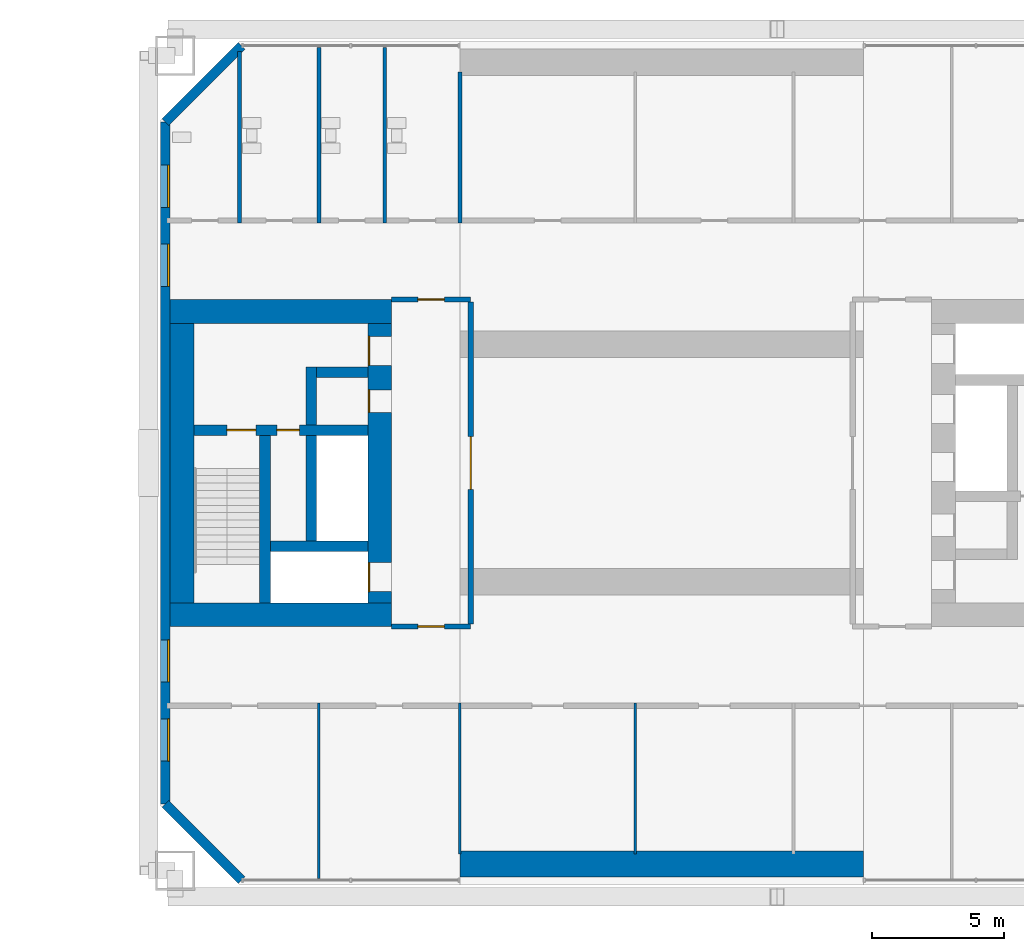
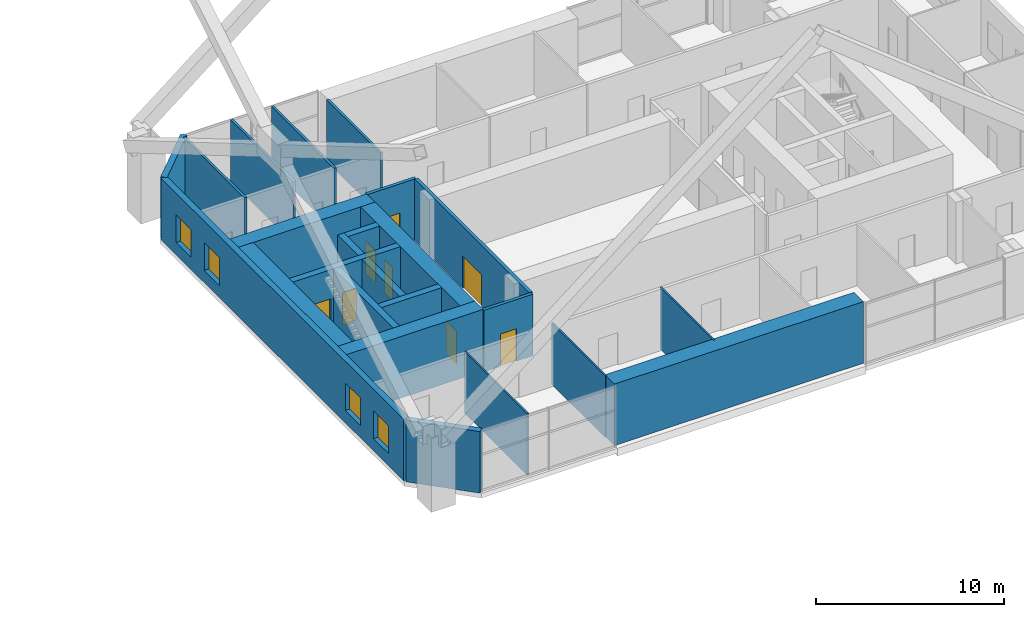
# One storey, part 20 of 25: 24 walls, 8 doors, 4 windows, 12 openings.
"""IFC4 building model written with IfcOpenShell, lengths in metres."""

from ifc_helpers import new_model, si_unit, direction, frame, frame_2d, origin, place, context, subcontext, project, spatial, rectangle, extrude, material, layer, layer_set, type_object, element, fill, save


model = new_model("IFC4")

# Units and contexts
model_context = context("Model", 3, precision=1e-05, world=origin(), true_north=direction((0.0, 1.0)))
body_context = subcontext(model_context, "Body", "Model", "MODEL_VIEW")
ifc_project = project(units=[si_unit("LENGTHUNIT", "METRE"), si_unit("AREAUNIT", "SQUARE_METRE"), si_unit("VOLUMEUNIT", "CUBIC_METRE"), si_unit("PLANEANGLEUNIT", "RADIAN"), si_unit("MASSUNIT", "GRAM", prefix="KILO")], contexts=[model_context])

# Site, building, storey
site_placement = place(None, origin())
site = spatial("IfcSite", under=ifc_project, at=site_placement, CompositionType="ELEMENT")
building_placement = place(site_placement, origin())
building = spatial("IfcBuilding", under=site, at=building_placement, Name="Tuart Gate Housing", CompositionType="ELEMENT")
storey_placement = place(building_placement, frame((0.0, 0.0, 14.699951171875)))
storey = spatial("IfcBuildingStorey", under=building, at=storey_placement, Name="L03", CompositionType="ELEMENT", Elevation=14.699951171875)

# Walls
ifc_material_1 = material(Name="Gypsum board on steel studs", Category="steel")
ifc_layer_1 = layer(ifc_material_1, 0.14990234375)
ifc_layer_set_1 = layer_set([ifc_layer_1], Name="Bathroom wall 150")
wall_type_1 = type_object("IfcWallType", Name="Bathroom wall 150", PredefinedType="PLUMBINGWALL", material=ifc_layer_set_1)
wall_1_placement = place(storey_placement, frame((134.0, 79.10009765625, 0.0), z_axis=(0.0, 0.0, 1.0), x_axis=(0.0, 1.0, 0.0)))
element("IfcWall", 1, at=wall_1_placement, inside=storey, type_object=wall_type_1, Name="Bathroom wall 150", PredefinedType="PLUMBINGWALL", context=body_context, shape_type="SweptSolid", body=[
    extrude(rectangle(XDim=6.510986328125, YDim=0.14990234375, at=frame_2d((3.25537109375, 0.0))), origin(), (0.0, 0.0, 1.0), 4.0),
])
for number, where, z_axis, x_axis, name in (
    (2, (137.0, 79.10009765625, 0.0), (0.0, 0.0, 1.0), (0.0, 1.0, 0.0), "Bathroom wall 150"),
    (3, (139.5, 79.10009765625, 0.0), (0.0, 0.0, 1.0), (0.0, 1.0, 0.0), "Bathroom wall 150"),
):
    element("IfcWall", number, at=place(storey_placement, frame(where, z_axis=z_axis, x_axis=x_axis)), inside=storey, type_object=wall_type_1, Name=name, PredefinedType="PLUMBINGWALL", context=body_context, shape_type="SweptSolid", body=[
        extrude(rectangle(XDim=6.659912109375, YDim=0.14990234375, at=frame_2d((3.330078125, 0.0))), origin(), (0.0, 0.0, 1.0), 4.0),
    ])
wall_2_placement = place(storey_placement, frame((142.35009765625, 79.10009765625, 0.0), z_axis=(0.0, 0.0, 1.0), x_axis=(0.0, 1.0, 0.0)))
element("IfcWall", 4, at=wall_2_placement, inside=storey, type_object=wall_type_1, Name="Bathroom wall 150", PredefinedType="PLUMBINGWALL", context=body_context, shape_type="SweptSolid", body=[
    extrude(rectangle(XDim=5.719970703125, YDim=0.14990234375, at=frame_2d((2.85986328125, 0.0))), origin(), (0.0, 0.0, 1.0), 4.0),
])
ifc_material_2 = material(Name="Brick", Category="masonry")
ifc_layer_2 = layer(ifc_material_2, 0.360107421875)
ifc_layer_set_2 = layer_set([ifc_layer_2], Name="Brick pier and spandrel wall 360")
wall_type_2 = type_object("IfcWallType", Name="Brick pier and spandrel wall 360", PredefinedType="STANDARD", material=ifc_layer_set_2)
for number, where, z_axis, x_axis, name in (
    (5, (131.179931640625, 57.07470703125, 0.0), (0.0, 0.0, 1.0), (0.707106781187, -0.707106781187, 0.0), "External wall B-SW L03"),
    (6, (134.07470703125, 85.820068359375, 0.0), (0.0, 0.0, 1.0), (-0.707106781187, -0.707106781187, 0.0), "External wall B-NW L03"),
):
    element("IfcWall", number, at=place(storey_placement, frame(where, z_axis=z_axis, x_axis=x_axis)), inside=storey, type_object=wall_type_2, Name=name, PredefinedType="STANDARD", context=body_context, shape_type="SweptSolid", body=[
        extrude(rectangle(XDim=4.09375, YDim=0.360107421875, at=frame_2d((2.046875, 0.0))), origin(), (0.0, 0.0, 1.0), 4.0),
    ])

# Wall, openings, windows
wall_3_placement = place(storey_placement, frame((131.179931640625, 82.92529296875, 0.0), z_axis=(0.0, 0.0, 1.0), x_axis=(0.0, -1.0, 0.0)))
wall_3 = element("IfcWall", 7, at=wall_3_placement, inside=storey, type_object=wall_type_2, Name="External wall B-W L03", PredefinedType="STANDARD", context=body_context, shape_type="SweptSolid", body=[
    extrude(rectangle(XDim=25.850830078125, YDim=0.360107421875, at=frame_2d((12.92529296875, 0.0))), origin(), (0.0, 0.0, 1.0), 4.0),
])
opening_1_placement = place(wall_3_placement, frame((1.62548828125, 0.0, 0.800048828125)))
opening_1 = element("IfcOpeningElement", 8, at=opening_1_placement, cuts=wall_3, Name="Opening W1", PredefinedType="OPENING", context=body_context, shape_type="SweptSolid", body=[
    extrude(rectangle(XDim=1.60009765625, YDim=1.800048828125, at=frame_2d((0.800048828125, 0.89990234375))), frame((0.0, 0.18994140625, 0.0), z_axis=(0.0, -1.0, 0.0), x_axis=(1.0, 0.0, 0.0)), (0.0, 0.0, 1.0), 0.380126953125),
])
opening_2_placement = place(wall_3_placement, frame((4.62548828125, 0.0, 0.800048828125)))
opening_2 = element("IfcOpeningElement", 9, at=opening_2_placement, cuts=wall_3, Name="Opening W1", PredefinedType="OPENING", context=body_context, shape_type="SweptSolid", body=[
    extrude(rectangle(XDim=1.60009765625, YDim=1.800048828125, at=frame_2d((0.800048828125, 0.89990234375))), frame((0.0, 0.18994140625, 0.0), z_axis=(0.0, -1.0, 0.0), x_axis=(1.0, 0.0, 0.0)), (0.0, 0.0, 1.0), 0.380126953125),
])
opening_3_placement = place(wall_3_placement, frame((19.62548828125, 0.0, 0.800048828125)))
opening_3 = element("IfcOpeningElement", 10, at=opening_3_placement, cuts=wall_3, Name="Opening W1", PredefinedType="OPENING", context=body_context, shape_type="SweptSolid", body=[
    extrude(rectangle(XDim=1.60009765625, YDim=1.800048828125, at=frame_2d((0.800048828125, 0.89990234375))), frame((0.0, 0.18994140625, 0.0), z_axis=(0.0, -1.0, 0.0), x_axis=(1.0, 0.0, 0.0)), (0.0, 0.0, 1.0), 0.380126953125),
])
opening_4_placement = place(wall_3_placement, frame((22.62548828125, 0.0, 0.800048828125)))
opening_4 = element("IfcOpeningElement", 11, at=opening_4_placement, cuts=wall_3, Name="Opening W1", PredefinedType="OPENING", context=body_context, shape_type="SweptSolid", body=[
    extrude(rectangle(XDim=1.60009765625, YDim=1.800048828125, at=frame_2d((0.800048828125, 0.89990234375))), frame((0.0, 0.18994140625, 0.0), z_axis=(0.0, -1.0, 0.0), x_axis=(1.0, 0.0, 0.0)), (0.0, 0.0, 1.0), 0.380126953125),
])
ifc_material_3 = material(Name="Aluminium frame with clear glass", Category="aluminium")
window_type = type_object("IfcWindowType", Name="Punched window 1600 x 1800", PartitioningType="SINGLE_PANEL", PredefinedType="WINDOW", material=ifc_material_3)
window_1_placement = place(opening_1_placement, origin())
window_1 = element("IfcWindow", 12, at=window_1_placement, inside=storey, type_object=window_type, Name="Window W1", OverallHeight=1.800048828125, OverallWidth=1.60009765625, PartitioningType="SINGLE_PANEL", PredefinedType="WINDOW", context=body_context, shape_type="SweptSolid", body=[
    extrude(rectangle(XDim=1.60009765625, YDim=1.800048828125, at=frame_2d((0.800048828125, 0.89990234375))), frame((0.0, 0.150146484375, 0.0), z_axis=(0.0, -1.0, 0.0), x_axis=(1.0, 0.0, 0.0)), (0.0, 0.0, 1.0), 0.06005859375),
])
fill(opening_1, window_1)
window_2_placement = place(opening_2_placement, origin())
window_2 = element("IfcWindow", 13, at=window_2_placement, inside=storey, type_object=window_type, Name="Window W1", OverallHeight=1.800048828125, OverallWidth=1.60009765625, PartitioningType="SINGLE_PANEL", PredefinedType="WINDOW", context=body_context, shape_type="SweptSolid", body=[
    extrude(rectangle(XDim=1.60009765625, YDim=1.800048828125, at=frame_2d((0.800048828125, 0.89990234375))), frame((0.0, 0.150146484375, 0.0), z_axis=(0.0, -1.0, 0.0), x_axis=(1.0, 0.0, 0.0)), (0.0, 0.0, 1.0), 0.06005859375),
])
fill(opening_2, window_2)
window_3_placement = place(opening_3_placement, origin())
window_3 = element("IfcWindow", 14, at=window_3_placement, inside=storey, type_object=window_type, Name="Window W1", OverallHeight=1.800048828125, OverallWidth=1.60009765625, PartitioningType="SINGLE_PANEL", PredefinedType="WINDOW", context=body_context, shape_type="SweptSolid", body=[
    extrude(rectangle(XDim=1.60009765625, YDim=1.800048828125, at=frame_2d((0.800048828125, 0.89990234375))), frame((0.0, 0.150146484375, 0.0), z_axis=(0.0, -1.0, 0.0), x_axis=(1.0, 0.0, 0.0)), (0.0, 0.0, 1.0), 0.06005859375),
])
fill(opening_3, window_3)
window_4_placement = place(opening_4_placement, origin())
window_4 = element("IfcWindow", 15, at=window_4_placement, inside=storey, type_object=window_type, Name="Window W1", OverallHeight=1.800048828125, OverallWidth=1.60009765625, PartitioningType="SINGLE_PANEL", PredefinedType="WINDOW", context=body_context, shape_type="SweptSolid", body=[
    extrude(rectangle(XDim=1.60009765625, YDim=1.800048828125, at=frame_2d((0.800048828125, 0.89990234375))), frame((0.0, 0.150146484375, 0.0), z_axis=(0.0, -1.0, 0.0), x_axis=(1.0, 0.0, 0.0)), (0.0, 0.0, 1.0), 0.06005859375),
])
fill(opening_4, window_4)

# Wall
ifc_material_4 = material(Name="Concrete C60", Category="concrete")
ifc_layer_3 = layer(ifc_material_4, 0.39990234375)
ifc_layer_set_3 = layer_set([ifc_layer_3], Name="Core wall 400 C60")
wall_type_3 = type_object("IfcWallType", Name="Core wall 400 C60", PredefinedType="SHEAR", material=ifc_layer_set_3)
wall_4_placement = place(storey_placement, frame((138.860107421875, 66.85009765625, 0.0), z_axis=(0.0, 0.0, 1.0), x_axis=(-1.0, 0.0, 0.0)))
element("IfcWall", 16, at=wall_4_placement, inside=storey, type_object=wall_type_3, Name="Core wall BG.1", PredefinedType="SHEAR", context=body_context, shape_type="SweptSolid", body=[
    extrude(rectangle(XDim=3.7001953125, YDim=0.39990234375, at=frame_2d((1.85009765625, 0.0))), origin(), (0.0, 0.0, 1.0), 4.0),
])

# Wall, openings, doors
wall_5_placement = place(storey_placement, frame((138.860107421875, 71.25, 0.0), z_axis=(0.0, 0.0, 1.0), x_axis=(-1.0, 0.0, 0.0)))
wall_5 = element("IfcWall", 17, at=wall_5_placement, inside=storey, type_object=wall_type_3, Name="Core wall BG.2", PredefinedType="SHEAR", context=body_context, shape_type="SweptSolid", body=[
    extrude(rectangle(XDim=6.60009765625, YDim=0.39990234375, at=frame_2d((3.300048828125, 0.0))), origin(), (0.0, 0.0, 1.0), 4.0),
])
opening_5_placement = place(wall_5_placement, frame((4.25, 0.0, 0.0)))
opening_5 = element("IfcOpeningElement", 18, at=opening_5_placement, cuts=wall_5, Name="Opening D048", PredefinedType="OPENING", context=body_context, shape_type="SweptSolid", body=[
    extrude(rectangle(XDim=1.10009765625, YDim=2.10009765625, at=frame_2d((0.550048828125, 1.050048828125))), frame((0.0, 0.2099609375, 0.0), z_axis=(0.0, -1.0, 0.0), x_axis=(1.0, 0.0, 0.0)), (0.0, 0.0, 1.0), 0.419921875),
])
opening_6_placement = place(wall_5_placement, frame((2.60009765625, 0.0, 0.0)))
opening_6 = element("IfcOpeningElement", 19, at=opening_6_placement, cuts=wall_5, Name="Opening D047", PredefinedType="OPENING", context=body_context, shape_type="SweptSolid", body=[
    extrude(rectangle(XDim=0.85009765625, YDim=2.10009765625, at=frame_2d((0.425048828125, 1.050048828125))), frame((0.0, 0.2099609375, 0.0), z_axis=(0.0, -1.0, 0.0), x_axis=(1.0, 0.0, 0.0)), (0.0, 0.0, 1.0), 0.419921875),
])
ifc_material_5 = material(Name="Steel fire door", Category="steel")
door_type_1 = type_object("IfcDoorType", Name="Riser door 850 x 2100", OperationType="SINGLE_SWING_LEFT", PredefinedType="DOOR", material=ifc_material_5)
door_1_placement = place(opening_6_placement, origin())
door_1 = element("IfcDoor", 20, at=door_1_placement, inside=storey, type_object=door_type_1, Name="Service room door BG.W1", OperationType="SINGLE_SWING_LEFT", OverallHeight=2.10009765625, OverallWidth=0.85009765625, PredefinedType="DOOR", context=body_context, shape_type="SweptSolid", body=[
    extrude(rectangle(XDim=0.85009765625, YDim=2.10009765625, at=frame_2d((0.425048828125, 1.050048828125))), frame((0.0, 0.02490234375, 0.0), z_axis=(0.0, -1.0, 0.0), x_axis=(1.0, 0.0, 0.0)), (0.0, 0.0, 1.0), 0.050048828125),
])
fill(opening_6, door_1)
ifc_material_6 = material(Name="Steel fire door", Category="steel")
door_type_2 = type_object("IfcDoorType", Name="Stair door 1100 x 2100", OperationType="SINGLE_SWING_LEFT", PredefinedType="DOOR", material=ifc_material_6)
door_2_placement = place(opening_5_placement, origin())
door_2 = element("IfcDoor", 21, at=door_2_placement, inside=storey, type_object=door_type_2, Name="Stair door BG.SD", OperationType="SINGLE_SWING_LEFT", OverallHeight=2.10009765625, OverallWidth=1.10009765625, PredefinedType="DOOR", context=body_context, shape_type="SweptSolid", body=[
    extrude(rectangle(XDim=1.10009765625, YDim=2.10009765625, at=frame_2d((0.550048828125, 1.050048828125))), frame((0.0, 0.02490234375, 0.0), z_axis=(0.0, -1.0, 0.0), x_axis=(1.0, 0.0, 0.0)), (0.0, 0.0, 1.0), 0.050048828125),
])
fill(opening_5, door_2)

# Walls
wall_6_placement = place(storey_placement, frame((138.860107421875, 73.449951171875, 0.0), z_axis=(0.0, 0.0, 1.0), x_axis=(-1.0, 0.0, 0.0)))
element("IfcWall", 22, at=wall_6_placement, inside=storey, type_object=wall_type_3, Name="Core wall BG.3", PredefinedType="SHEAR", context=body_context, shape_type="SweptSolid", body=[
    extrude(rectangle(XDim=1.9501953125, YDim=0.39990234375, at=frame_2d((0.97509765625, 0.0))), origin(), (0.0, 0.0, 1.0), 4.0),
])
wall_7_placement = place(storey_placement, frame((136.7099609375, 67.050048828125, 0.0), z_axis=(0.0, 0.0, 1.0), x_axis=(0.0, 1.0, 0.0)))
element("IfcWall", 23, at=wall_7_placement, inside=storey, type_object=wall_type_3, Name="Core wall BG.4", PredefinedType="SHEAR", context=body_context, shape_type="SweptSolid", body=[
    extrude(rectangle(XDim=4.0, YDim=0.39990234375, at=frame_2d((2.0, 0.0))), origin(), (0.0, 0.0, 1.0), 4.0),
])
wall_8_placement = place(storey_placement, frame((136.7099609375, 71.449951171875, 0.0), z_axis=(0.0, 0.0, 1.0), x_axis=(0.0, 1.0, 0.0)))
element("IfcWall", 24, at=wall_8_placement, inside=storey, type_object=wall_type_3, Name="Core wall BG.5", PredefinedType="SHEAR", context=body_context, shape_type="SweptSolid", body=[
    extrude(rectangle(XDim=2.199951171875, YDim=0.39990234375, at=frame_2d((1.10009765625, 0.0))), origin(), (0.0, 0.0, 1.0), 4.0),
])
wall_9_placement = place(storey_placement, frame((134.9599609375, 64.699951171875, 0.0), z_axis=(0.0, 0.0, 1.0), x_axis=(0.0, 1.0, 0.0)))
element("IfcWall", 25, at=wall_9_placement, inside=storey, type_object=wall_type_3, Name="Core wall BG.6", PredefinedType="SHEAR", context=body_context, shape_type="SweptSolid", body=[
    extrude(rectangle(XDim=6.35009765625, YDim=0.39990234375, at=frame_2d((3.175048828125, 0.0))), origin(), (0.0, 0.0, 1.0), 4.0),
])

# Wall, openings, doors
ifc_material_7 = material(Name="Concrete C60", Category="concrete")
ifc_layer_4 = layer(ifc_material_7, 0.89990234375)
ifc_layer_set_4 = layer_set([ifc_layer_4], Name="Core wall 900 C60")
wall_type_4 = type_object("IfcWallType", Name="Core wall 900 C60", PredefinedType="SHEAR", material=ifc_layer_set_4)
wall_10_placement = place(storey_placement, frame((139.31005859375, 64.699951171875, 0.0), z_axis=(0.0, 0.0, 1.0), x_axis=(0.0, 1.0, 0.0)))
wall_10 = element("IfcWall", 26, at=wall_10_placement, inside=storey, type_object=wall_type_4, Name="Core wall BG front", PredefinedType="SHEAR", context=body_context, shape_type="SweptSolid", body=[
    extrude(rectangle(XDim=10.60009765625, YDim=0.89990234375, at=frame_2d((5.300048828125, 0.0))), origin(), (0.0, 0.0, 1.0), 4.0),
])
opening_7_placement = place(wall_10_placement, frame((0.425048828125, 0.0, 0.0)))
opening_7 = element("IfcOpeningElement", 27, at=opening_7_placement, cuts=wall_10, Name="Opening LD-FB1", PredefinedType="OPENING", context=body_context, shape_type="SweptSolid", body=[
    extrude(rectangle(XDim=1.10009765625, YDim=2.10009765625, at=frame_2d((0.550048828125, 1.050048828125))), frame((0.0, 0.4599609375, 0.0), z_axis=(0.0, -1.0, 0.0), x_axis=(1.0, 0.0, 0.0)), (0.0, 0.0, 1.0), 0.919921875),
])
opening_8_placement = place(wall_10_placement, frame((9.0, 0.0, 0.0)))
opening_8 = element("IfcOpeningElement", 28, at=opening_8_placement, cuts=wall_10, Name="Opening D049", PredefinedType="OPENING", context=body_context, shape_type="SweptSolid", body=[
    extrude(rectangle(XDim=1.10009765625, YDim=2.10009765625, at=frame_2d((0.550048828125, 1.050048828125))), frame((0.0, 0.4599609375, 0.0), z_axis=(0.0, -1.0, 0.0), x_axis=(1.0, 0.0, 0.0)), (0.0, 0.0, 1.0), 0.919921875),
])
opening_9_placement = place(wall_10_placement, frame((7.22509765625, 0.0, 0.0)))
opening_9 = element("IfcOpeningElement", 29, at=opening_9_placement, cuts=wall_10, Name="Opening D050", PredefinedType="OPENING", context=body_context, shape_type="SweptSolid", body=[
    extrude(rectangle(XDim=0.85009765625, YDim=2.10009765625, at=frame_2d((0.425048828125, 1.050048828125))), frame((0.0, 0.4599609375, 0.0), z_axis=(0.0, -1.0, 0.0), x_axis=(1.0, 0.0, 0.0)), (0.0, 0.0, 1.0), 0.919921875),
])
ifc_material_8 = material(Name="Stainless steel", Category="steel")
door_type_3 = type_object("IfcDoorType", Name="Landing door 1100 x 2100", OperationType="DOUBLE_DOOR_SLIDING", PredefinedType="DOOR", material=ifc_material_8)
door_3_placement = place(opening_7_placement, origin())
door_3 = element("IfcDoor", 30, at=door_3_placement, inside=storey, type_object=door_type_3, Name="Lift landing door FB1", OperationType="DOUBLE_DOOR_SLIDING", OverallHeight=2.10009765625, OverallWidth=1.10009765625, PredefinedType="DOOR", context=body_context, shape_type="SweptSolid", body=[
    extrude(rectangle(XDim=1.10009765625, YDim=2.10009765625, at=frame_2d((0.550048828125, 1.050048828125))), frame((0.0, 0.43505859375, 0.0), z_axis=(0.0, -1.0, 0.0), x_axis=(1.0, 0.0, 0.0)), (0.0, 0.0, 1.0), 0.050048828125),
])
fill(opening_7, door_3)
ifc_material_9 = material(Name="Steel fire door", Category="steel")
door_type_4 = type_object("IfcDoorType", Name="Lobby door 1100 x 2100", OperationType="SINGLE_SWING_LEFT", PredefinedType="DOOR", material=ifc_material_9)
door_4_placement = place(opening_8_placement, origin())
door_4 = element("IfcDoor", 31, at=door_4_placement, inside=storey, type_object=door_type_4, Name="Lobby entry door BG.EN", OperationType="SINGLE_SWING_LEFT", OverallHeight=2.10009765625, OverallWidth=1.10009765625, PredefinedType="DOOR", context=body_context, shape_type="SweptSolid", body=[
    extrude(rectangle(XDim=1.10009765625, YDim=2.10009765625, at=frame_2d((0.550048828125, 1.050048828125))), frame((0.0, 0.43505859375, 0.0), z_axis=(0.0, -1.0, 0.0), x_axis=(1.0, 0.0, 0.0)), (0.0, 0.0, 1.0), 0.050048828125),
])
fill(opening_8, door_4)
ifc_material_10 = material(Name="Steel fire door", Category="steel")
door_type_5 = type_object("IfcDoorType", Name="Service door 850 x 2100", OperationType="SINGLE_SWING_LEFT", PredefinedType="DOOR", material=ifc_material_10)
door_5_placement = place(opening_9_placement, origin())
door_5 = element("IfcDoor", 32, at=door_5_placement, inside=storey, type_object=door_type_5, Name="Service room door BG.T1", OperationType="SINGLE_SWING_LEFT", OverallHeight=2.10009765625, OverallWidth=0.85009765625, PredefinedType="DOOR", context=body_context, shape_type="SweptSolid", body=[
    extrude(rectangle(XDim=0.85009765625, YDim=2.10009765625, at=frame_2d((0.425048828125, 1.050048828125))), frame((0.0, 0.43505859375, 0.0), z_axis=(0.0, -1.0, 0.0), x_axis=(1.0, 0.0, 0.0)), (0.0, 0.0, 1.0), 0.050048828125),
])
fill(opening_9, door_5)

# Walls
wall_11_placement = place(storey_placement, frame((131.81005859375, 64.699951171875, 0.0), z_axis=(0.0, 0.0, 1.0), x_axis=(0.0, 1.0, 0.0)))
element("IfcWall", 33, at=wall_11_placement, inside=storey, type_object=wall_type_4, Name="Core wall BG back", PredefinedType="SHEAR", context=body_context, shape_type="SweptSolid", body=[
    extrude(rectangle(XDim=10.60009765625, YDim=0.89990234375, at=frame_2d((5.300048828125, 0.0))), origin(), (0.0, 0.0, 1.0), 4.0),
])
for number, where, z_axis, x_axis, name in (
    (34, (139.760009765625, 64.25, 0.0), (0.0, 0.0, 1.0), (-1.0, 0.0, 0.0), "Core wall BG south"),
    (35, (139.760009765625, 75.75, 0.0), (0.0, 0.0, 1.0), (-1.0, 0.0, 0.0), "Core wall BG north"),
):
    element("IfcWall", number, at=place(storey_placement, frame(where, z_axis=z_axis, x_axis=x_axis)), inside=storey, type_object=wall_type_4, Name=name, PredefinedType="SHEAR", context=body_context, shape_type="SweptSolid", body=[
        extrude(rectangle(XDim=8.39990234375, YDim=0.89990234375, at=frame_2d((4.199951171875, 0.0))), origin(), (0.0, 0.0, 1.0), 4.0),
    ])

# Wall, opening, door
ifc_material_11 = material(Name="Concrete masonry 15 MPa", Category="masonry")
ifc_layer_5 = layer(ifc_material_11, 0.199951171875)
ifc_layer_set_5 = layer_set([ifc_layer_5], Name="Enclosure wall masonry 200")
wall_type_5 = type_object("IfcWallType", Name="Enclosure wall masonry 200", PredefinedType="PARTITIONING", material=ifc_layer_set_5)
wall_12_placement = place(storey_placement, frame((139.760009765625, 63.800048828125, 0.0), z_axis=(0.0, 0.0, 1.0), x_axis=(1.0, 0.0, 0.0)))
wall_12 = element("IfcWall", 36, at=wall_12_placement, inside=storey, type_object=wall_type_5, Name="Enclosure wall masonry 200", PredefinedType="PARTITIONING", context=body_context, shape_type="SweptSolid", body=[
    extrude(rectangle(XDim=3.0, YDim=0.199951171875, at=frame_2d((1.5, 0.0))), origin(), (0.0, 0.0, 1.0), 4.0),
])
opening_10_placement = place(wall_12_placement, frame((1.0, 0.0, 0.0)))
opening_10 = element("IfcOpeningElement", 37, at=opening_10_placement, cuts=wall_12, Name="Opening D062", PredefinedType="OPENING", context=body_context, shape_type="SweptSolid", body=[
    extrude(rectangle(XDim=1.0, YDim=2.10009765625, at=frame_2d((0.5, 1.050048828125))), frame((0.0, 0.10986328125, 0.0), z_axis=(0.0, -1.0, 0.0), x_axis=(1.0, 0.0, 0.0)), (0.0, 0.0, 1.0), 0.219970703125),
])
ifc_material_12 = material(Name="Timber door leaf in steel frame", Category="steel")
door_type_6 = type_object("IfcDoorType", Name="Lobby door 1000 RH", OperationType="SINGLE_SWING_RIGHT", PredefinedType="DOOR", material=ifc_material_12)
door_6_placement = place(opening_10_placement, origin())
door_6 = element("IfcDoor", 38, at=door_6_placement, inside=storey, type_object=door_type_6, Name="Lobby door 1000", OperationType="SINGLE_SWING_RIGHT", OverallHeight=2.10009765625, OverallWidth=1.0, PredefinedType="DOOR", context=body_context, shape_type="SweptSolid", body=[
    extrude(rectangle(XDim=1.0, YDim=2.10009765625, at=frame_2d((0.5, 1.050048828125))), frame((0.0, 0.02490234375, 0.0), z_axis=(0.0, -1.0, 0.0), x_axis=(1.0, 0.0, 0.0)), (0.0, 0.0, 1.0), 0.050048828125),
])
fill(opening_10, door_6)

wall_13_placement = place(storey_placement, frame((139.760009765625, 76.199951171875, 0.0), z_axis=(0.0, 0.0, 1.0), x_axis=(1.0, 0.0, 0.0)))
wall_13 = element("IfcWall", 39, at=wall_13_placement, inside=storey, type_object=wall_type_5, Name="Enclosure wall masonry 200", PredefinedType="PARTITIONING", context=body_context, shape_type="SweptSolid", body=[
    extrude(rectangle(XDim=3.0, YDim=0.199951171875, at=frame_2d((1.5, 0.0))), origin(), (0.0, 0.0, 1.0), 4.0),
])
opening_11_placement = place(wall_13_placement, frame((1.0, 0.0, 0.0)))
opening_11 = element("IfcOpeningElement", 40, at=opening_11_placement, cuts=wall_13, Name="Opening D045", PredefinedType="OPENING", context=body_context, shape_type="SweptSolid", body=[
    extrude(rectangle(XDim=1.0, YDim=2.10009765625, at=frame_2d((0.5, 1.050048828125))), frame((0.0, 0.10986328125, 0.0), z_axis=(0.0, -1.0, 0.0), x_axis=(1.0, 0.0, 0.0)), (0.0, 0.0, 1.0), 0.219970703125),
])
ifc_material_13 = material(Name="Timber door leaf in steel frame", Category="steel")
door_type_7 = type_object("IfcDoorType", Name="Lobby door 1000", OperationType="SINGLE_SWING_LEFT", PredefinedType="DOOR", material=ifc_material_13)
door_7_placement = place(opening_11_placement, frame((1.0, 0.0, 0.0), z_axis=(0.0, 0.0, 1.0), x_axis=(-1.0, 0.0, 0.0)))
door_7 = element("IfcDoor", 41, at=door_7_placement, inside=storey, type_object=door_type_7, Name="Lobby door 1000", OperationType="SINGLE_SWING_LEFT", OverallHeight=2.10009765625, OverallWidth=1.0, PredefinedType="DOOR", context=body_context, shape_type="SweptSolid", body=[
    extrude(rectangle(XDim=1.0, YDim=2.10009765625, at=frame_2d((0.5, 1.050048828125))), frame((0.0, 0.025146484375, 0.0), z_axis=(0.0, -1.0, 0.0), x_axis=(1.0, 0.0, 0.0)), (0.0, 0.0, 1.0), 0.050048828125),
])
fill(opening_11, door_7)

ifc_material_14 = material(Name="Plasterboard partition")
ifc_layer_6 = layer(ifc_material_14, 0.199951171875)
ifc_layer_set_6 = layer_set([ifc_layer_6], Name="Lobby wall 200")
wall_type_6 = type_object("IfcWallType", Name="Lobby wall 200", PredefinedType="PARTITIONING", material=ifc_layer_set_6)
wall_14_placement = place(storey_placement, frame((142.760009765625, 63.89990234375, 0.0), z_axis=(0.0, 0.0, 1.0), x_axis=(0.0, 1.0, 0.0)))
wall_14 = element("IfcWall", 42, at=wall_14_placement, inside=storey, type_object=wall_type_6, Name="Lift lobby wall BG", PredefinedType="PARTITIONING", context=body_context, shape_type="SweptSolid", body=[
    extrude(rectangle(XDim=12.2001953125, YDim=0.199951171875, at=frame_2d((6.10009765625, 0.0))), origin(), (0.0, 0.0, 1.0), 4.0),
])
opening_12_placement = place(wall_14_placement, frame((5.10009765625, 0.0, 0.0)))
opening_12 = element("IfcOpeningElement", 43, at=opening_12_placement, cuts=wall_14, Name="Opening D051", PredefinedType="OPENING", context=body_context, shape_type="SweptSolid", body=[
    extrude(rectangle(XDim=2.0, YDim=2.10009765625, at=frame_2d((1.0, 1.050048828125))), frame((0.0, 0.10986328125, 0.0), z_axis=(0.0, -1.0, 0.0), x_axis=(1.0, 0.0, 0.0)), (0.0, 0.0, 1.0), 0.219970703125),
])
ifc_material_15 = material(Name="Steel fire door", Category="steel")
door_type_8 = type_object("IfcDoorType", Name="Smoke door 2000 x 2100", OperationType="DOUBLE_DOOR_SINGLE_SWING", PredefinedType="DOOR", material=ifc_material_15)
door_8_placement = place(opening_12_placement, origin())
door_8 = element("IfcDoor", 44, at=door_8_placement, inside=storey, type_object=door_type_8, Name="Lift lobby smoke door BG", OperationType="DOUBLE_DOOR_SINGLE_SWING", OverallHeight=2.10009765625, OverallWidth=2.0, PredefinedType="DOOR", context=body_context, shape_type="SweptSolid", body=[
    extrude(rectangle(XDim=2.0, YDim=2.10009765625, at=frame_2d((1.0, 1.050048828125))), frame((0.0, 0.02490234375, 0.0), z_axis=(0.0, -1.0, 0.0), x_axis=(1.0, 0.0, 0.0)), (0.0, 0.0, 1.0), 0.050048828125),
])
fill(opening_12, door_8)

# Walls
ifc_material_16 = material(Name="Gypsum board on steel studs", Category="steel")
ifc_layer_7 = layer(ifc_material_16, 0.10009765625)
ifc_layer_set_7 = layer_set([ifc_layer_7], Name="Partition 100")
wall_type_7 = type_object("IfcWallType", Name="Partition 100", PredefinedType="PARTITIONING", material=ifc_layer_set_7)
wall_15_placement = place(storey_placement, frame((137.0, 54.239990234375, 0.0), z_axis=(0.0, 0.0, 1.0), x_axis=(0.0, 1.0, 0.0)))
element("IfcWall", 45, at=wall_15_placement, inside=storey, type_object=wall_type_7, Name="Partition 100", PredefinedType="PARTITIONING", context=body_context, shape_type="SweptSolid", body=[
    extrude(rectangle(XDim=6.659912109375, YDim=0.10009765625, at=frame_2d((3.330078125, 0.0))), origin(), (0.0, 0.0, 1.0), 4.0),
])
for number, where, z_axis, x_axis, name in (
    (46, (142.35009765625, 55.179931640625, 0.0), (0.0, 0.0, 1.0), (0.0, 1.0, 0.0), "Partition 100"),
    (47, (149.0, 55.179931640625, 0.0), (0.0, 0.0, 1.0), (0.0, 1.0, 0.0), "Partition 100"),
):
    element("IfcWall", number, at=place(storey_placement, frame(where, z_axis=z_axis, x_axis=x_axis)), inside=storey, type_object=wall_type_7, Name=name, PredefinedType="PARTITIONING", context=body_context, shape_type="SweptSolid", body=[
        extrude(rectangle(XDim=5.719970703125, YDim=0.10009765625, at=frame_2d((2.85986328125, 0.0))), origin(), (0.0, 0.0, 1.0), 4.0),
    ])
ifc_material_17 = material(Name="Concrete C60", Category="concrete")
ifc_layer_8 = layer(ifc_material_17, 1.0)
ifc_layer_set_8 = layer_set([ifc_layer_8], Name="RC wall 1000 C60")
wall_type_8 = type_object("IfcWallType", Name="RC wall 1000 C60", PredefinedType="SHEAR", material=ifc_layer_set_8)
wall_16_placement = place(storey_placement, frame((142.35009765625, 54.800048828125, 0.0), z_axis=(0.0, 0.0, 1.0), x_axis=(1.0, 0.0, 0.0)))
element("IfcWall", 48, at=wall_16_placement, inside=storey, type_object=wall_type_8, Name="Transfer wall B line 1 L03", PredefinedType="SHEAR", context=body_context, shape_type="SweptSolid", body=[
    extrude(rectangle(XDim=15.2998046875, YDim=1.0, at=frame_2d((7.64990234375, 0.0))), origin(), (0.0, 0.0, 1.0), 4.0),
])

save(model, "model.ifc")
